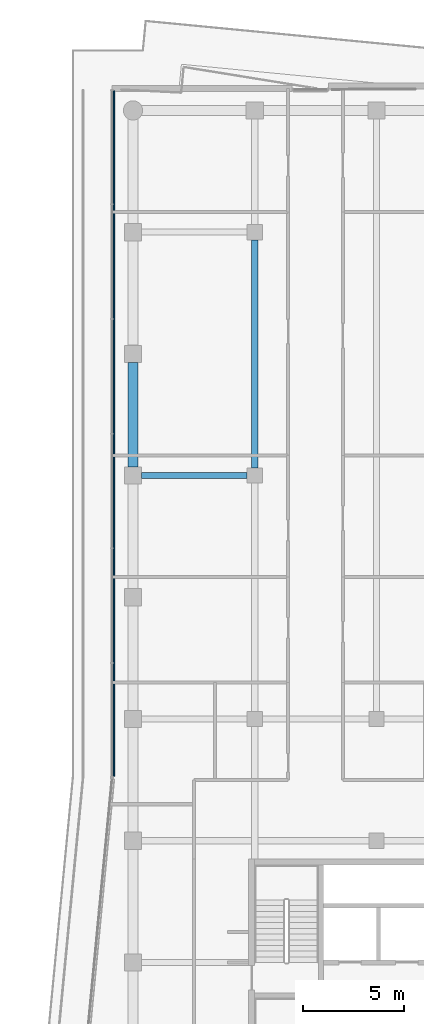
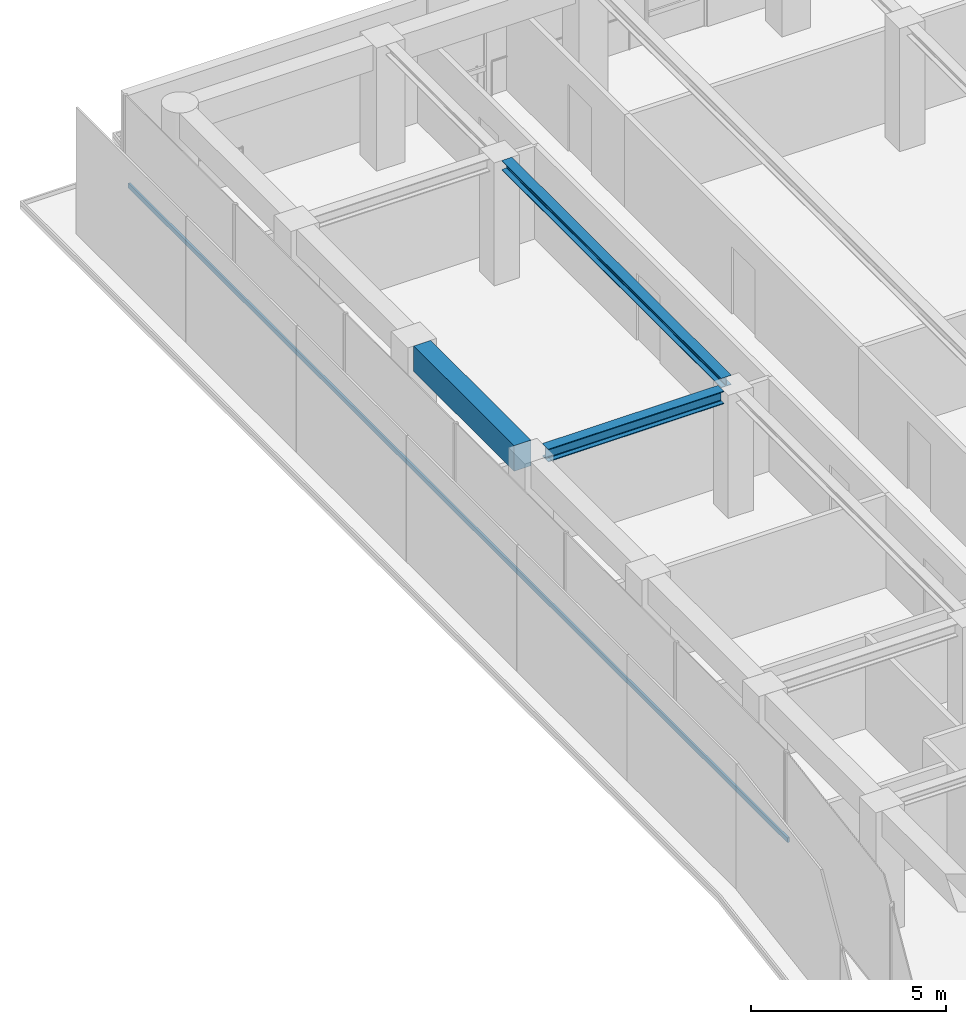
# One storey, part 10 of 25: 3 beams, 1 member, 1 element without a shape of its own.
"""IFC4 building model written with IfcOpenShell, lengths in metres."""

from ifc_helpers import new_model, si_unit, direction, frame, origin, origin_2d, place, context, subcontext, project, spatial, rectangle, i_section, extrude, material, layer, layer_set, material_profile, profile_set, type_object, element, aggregate, save


model = new_model("IFC4")

# Units and contexts
model_context = context("Model", 3, precision=1e-05, world=origin(), true_north=direction((0.0, 1.0)))
body_context = subcontext(model_context, "Body", "Model", "MODEL_VIEW")
ifc_project = project(units=[si_unit("LENGTHUNIT", "METRE"), si_unit("AREAUNIT", "SQUARE_METRE"), si_unit("VOLUMEUNIT", "CUBIC_METRE"), si_unit("PLANEANGLEUNIT", "RADIAN"), si_unit("MASSUNIT", "GRAM", prefix="KILO")], contexts=[model_context])

# Site, building, storey
site_placement = place(None, origin())
site = spatial("IfcSite", under=ifc_project, at=site_placement, CompositionType="ELEMENT")
building_placement = place(site_placement, origin())
building = spatial("IfcBuilding", under=site, at=building_placement, Name="Welwitschia Terrace Campus", CompositionType="ELEMENT")
storey_placement = place(building_placement, frame((0.0, 0.0, 264.199951171875)))
storey = spatial("IfcBuildingStorey", under=building, at=storey_placement, Name="L58", CompositionType="ELEMENT", Elevation=264.199951171875)

# Beams
ifc_material_1 = material(Name="Steel S355", Category="steel")
ifc_material_profile_1 = material_profile(ifc_material_1, i_section(OverallWidth=0.300048828125, OverallDepth=0.300048828125, WebThickness=0.010986328125, FlangeThickness=0.01904296875, FilletRadius=0.027099609375, at=origin_2d()))
ifc_profile_set_1 = profile_set([ifc_material_profile_1], Name="Steel S355")
beam_type_1 = type_object("IfcBeamType", Name="Interior girder HE 300 B", PredefinedType="BEAM", material=ifc_profile_set_1)
beam_1_placement = place(storey_placement, frame((6.0, 44.37548828125, 3.699951171875), z_axis=(0.0, 1.0, 0.0), x_axis=(-1.0, 0.0, 0.0)))
element("IfcBeam", 1, at=beam_1_placement, inside=storey, type_object=beam_type_1, Name="Girder GB6", PredefinedType="BEAM", context=body_context, shape_type="SweptSolid", body=[
    extrude(i_section(OverallWidth=0.300048828125, OverallDepth=0.300048828125, WebThickness=0.010986328125, FlangeThickness=0.01904296875, FilletRadius=0.027099609375, at=origin_2d()), origin(), (0.0, 0.0, 1.0), 11.2490234375),
])
ifc_material_2 = material(Name="Steel S355", Category="steel")
ifc_material_profile_2 = material_profile(ifc_material_2, i_section(OverallWidth=0.300048828125, OverallDepth=0.39990234375, WebThickness=0.013427734375, FlangeThickness=0.02392578125, FilletRadius=0.027099609375, at=origin_2d()))
ifc_profile_set_2 = profile_set([ifc_material_profile_2], Name="Steel S355")
beam_type_2 = type_object("IfcBeamType", Name="Primary beam HE 400 B", PredefinedType="BEAM", material=ifc_profile_set_2)
beam_2_placement = place(storey_placement, frame((0.425537109375, 44.0, 3.650146484375), z_axis=(1.0, 0.0, 0.0), x_axis=(0.0, 1.0, 0.0)))
element("IfcBeam", 2, at=beam_2_placement, inside=storey, type_object=beam_type_2, Name="Primary beam PB6", PredefinedType="BEAM", context=body_context, shape_type="SweptSolid", body=[
    extrude(i_section(OverallWidth=0.300048828125, OverallDepth=0.39990234375, WebThickness=0.013427734375, FlangeThickness=0.02392578125, FilletRadius=0.027099609375, at=origin_2d()), origin(), (0.0, 0.0, 1.0), 5.198974609375),
])
ifc_material_3 = material(Name="Concrete C50/60", Category="concrete")
ifc_material_profile_3 = material_profile(ifc_material_3, rectangle(XDim=0.5, YDim=0.800048828125, at=origin_2d()))
ifc_profile_set_3 = profile_set([ifc_material_profile_3], Name="Concrete C50/60")
beam_type_3 = type_object("IfcBeamType", Name="Ring spandrel 500x800", PredefinedType="SPANDREL", material=ifc_profile_set_3)
beam_3_placement = place(storey_placement, frame((0.0, 49.574462890625, 3.449951171875), z_axis=(0.0, -1.0, 0.0), x_axis=(1.0, 0.0, 0.0)))
element("IfcBeam", 3, at=beam_3_placement, inside=storey, type_object=beam_type_3, Name="Spandrel SP4", PredefinedType="SPANDREL", context=body_context, shape_type="SweptSolid", body=[
    extrude(rectangle(XDim=0.5, YDim=0.800048828125, at=origin_2d()), origin(), (0.0, 0.0, 1.0), 5.14892578125),
])

# Curtain wall, member
ifc_material_4 = material(Name="Bronze anodised aluminium", Category="aluminium")
ifc_layer = layer(ifc_material_4, 0.1201171875)
ifc_layer_set = layer_set([ifc_layer], Name="Bronze anodised aluminium")
curtain_wall_type = type_object("IfcCurtainWallType", Name="Curtain wall CW2 tower 6000", PredefinedType="NOTDEFINED", material=ifc_layer_set)
curtain_wall_placement = place(storey_placement, origin())
curtain_wall = element("IfcCurtainWall", 4, at=curtain_wall_placement, inside=storey, type_object=curtain_wall_type, Name="CW L58.0.0", PredefinedType="NOTDEFINED")
ifc_material_5 = material(Name="Bronze anodised aluminium", Category="aluminium")
ifc_material_profile_4 = material_profile(ifc_material_5, rectangle(XDim=0.06005859375, YDim=0.14990234375, at=origin_2d()))
ifc_profile_set_4 = profile_set([ifc_material_profile_4], Name="Bronze anodised aluminium")
member_type = type_object("IfcMemberType", Name="Transom 60x150", PredefinedType="USERDEFINED", material=ifc_profile_set_4)
member_placement = place(storey_placement, frame((-0.93994140625, 62.969970703125, 1.0), z_axis=(0.0, -1.0, 0.0), x_axis=(1.0, 0.0, 0.0)))
member = element("IfcMember", 5, at=member_placement, type_object=member_type, Name="Transom L58.0.0", ObjectType="TRANSOM", PredefinedType="USERDEFINED", context=body_context, shape_type="SweptSolid", body=[
    extrude(rectangle(XDim=0.06005859375, YDim=0.14990234375, at=origin_2d()), origin(), (0.0, 0.0, 1.0), 33.80126953125),
])
aggregate(curtain_wall, [member])

save(model, "model.ifc")
